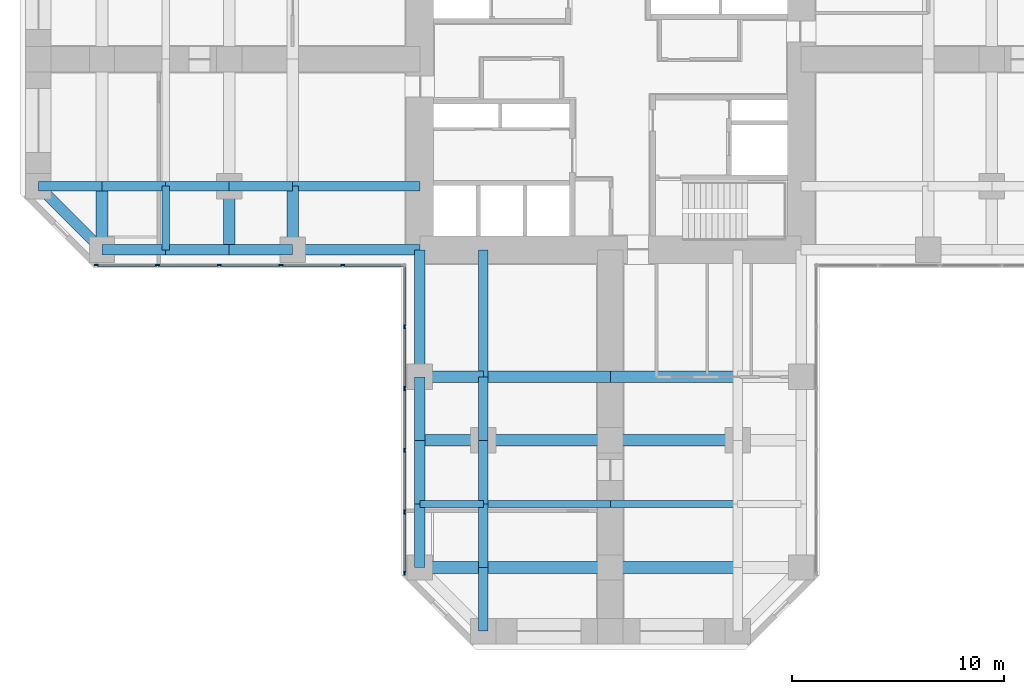
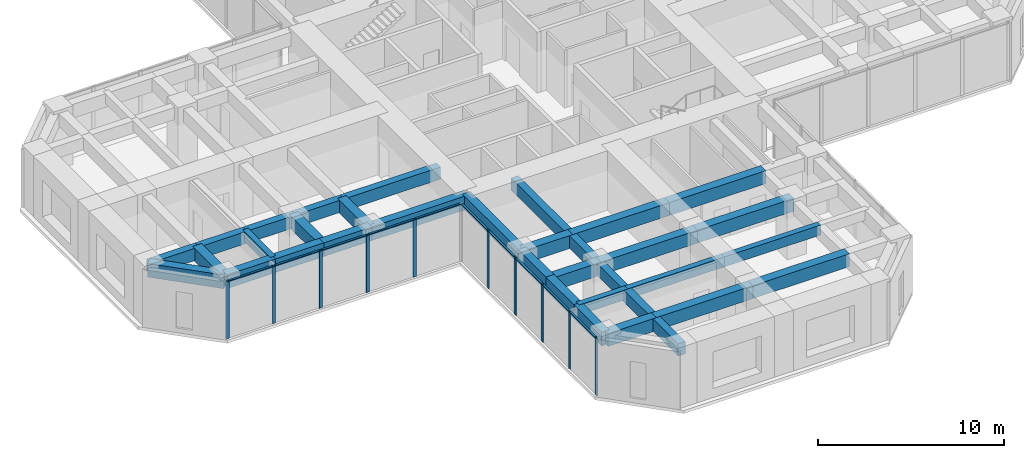
# One storey, part 2 of 12: 35 beams, 20 members, 2 elements without a shape of their own.
"""IFC4 building model written with IfcOpenShell, lengths in metres."""

from ifc_helpers import new_model, si_unit, direction, frame, origin, origin_2d, place, context, subcontext, project, spatial, rectangle, extrude, material, material_profile, profile_set, type_object, element, aggregate, save


model = new_model("IFC4")

# Units and contexts
model_context = context("Model", 3, precision=1e-05, world=origin(), true_north=direction((0.0, 1.0)))
body_context = subcontext(model_context, "Body", "Model", "MODEL_VIEW")
ifc_project = project(units=[si_unit("LENGTHUNIT", "METRE"), si_unit("AREAUNIT", "SQUARE_METRE"), si_unit("VOLUMEUNIT", "CUBIC_METRE"), si_unit("PLANEANGLEUNIT", "RADIAN"), si_unit("MASSUNIT", "GRAM", prefix="KILO")], contexts=[model_context])

# Site, building, storey
site_placement = place(None, origin())
site = spatial("IfcSite", under=ifc_project, at=site_placement, CompositionType="ELEMENT")
building_placement = place(site_placement, origin())
building = spatial("IfcBuilding", under=site, at=building_placement, Name="Torre Cruceta", CompositionType="ELEMENT")
storey_placement = place(building_placement, frame((0.0, 0.0, 63.5)))
storey = spatial("IfcBuildingStorey", under=building, at=storey_placement, Name="L15", CompositionType="ELEMENT", Elevation=63.5)

# Beams
ifc_material_1 = material(Name="Concrete G60 (fck 60 MPa)", Category="concrete")
ifc_material_profile_1 = material_profile(ifc_material_1, rectangle(XDim=0.449951171875, YDim=0.800048828125, at=origin_2d()), Name="RC 450X800")
ifc_profile_set_1 = profile_set([ifc_material_profile_1], Name="Concrete G60 (fck 60 MPa)")
beam_type_1 = type_object("IfcBeamType", Name="COLUMN LINE BEAM RC 450X800", PredefinedType="BEAM", material=ifc_profile_set_1)
beam_1_placement = place(storey_placement, frame((-6.0, -9.0, 3.39990234375), z_axis=(0.0, -1.0, 0.0), x_axis=(1.0, 0.0, 0.0)))
element("IfcBeam", 1, at=beam_1_placement, inside=storey, type_object=beam_type_1, Name="LB1 L15 S col- 1", PredefinedType="BEAM", context=body_context, shape_type="SweptSolid", body=[
    extrude(rectangle(XDim=0.449951171875, YDim=0.800048828125, at=origin_2d()), origin(), (0.0, 0.0, 1.0), 6.0),
])
for number, where, z_axis, x_axis, name in (
    (2, (-6.0, -15.0, 3.39990234375), (0.0, -1.0, 0.0), (1.0, 0.0, 0.0), "LB1 L15 S col- 2"),
    (3, (-6.0, -18.0, 3.39990234375), (0.0, -1.0, 0.0), (1.0, 0.0, 0.0), "LB1 L15 S col- 3"),
    (4, (-6.0, -21.0, 3.39990234375), (0.0, -1.0, 0.0), (1.0, 0.0, 0.0), "LB1 L15 S col- 4"),
    (5, (-6.0, -24.0, 3.39990234375), (0.0, -1.0, 0.0), (1.0, 0.0, 0.0), "LB1 L15 S col- 5"),
):
    element("IfcBeam", number, at=place(storey_placement, frame(where, z_axis=z_axis, x_axis=x_axis)), inside=storey, type_object=beam_type_1, Name=name, PredefinedType="BEAM", context=body_context, shape_type="SweptSolid", body=[
        extrude(rectangle(XDim=0.449951171875, YDim=0.800048828125, at=origin_2d()), origin(), (0.0, 0.0, 1.0), 3.0),
    ])
beam_2_placement = place(storey_placement, frame((-9.0, -6.0, 3.39990234375), z_axis=(-1.0, 0.0, 0.0), x_axis=(0.0, -1.0, 0.0)))
element("IfcBeam", 6, at=beam_2_placement, inside=storey, type_object=beam_type_1, Name="LB1 L15 W col+ 1", PredefinedType="BEAM", context=body_context, shape_type="SweptSolid", body=[
    extrude(rectangle(XDim=0.449951171875, YDim=0.800048828125, at=origin_2d()), origin(), (0.0, 0.0, 1.0), 6.0),
])
for number, where, z_axis, x_axis, name in (
    (7, (-15.0, -6.0, 3.39990234375), (-1.0, 0.0, 0.0), (0.0, -1.0, 0.0), "LB1 L15 W col+ 2"),
    (8, (-18.0, -6.0, 3.39990234375), (-1.0, 0.0, 0.0), (0.0, -1.0, 0.0), "LB1 L15 W col+ 3"),
    (9, (-21.0, -6.0, 3.39990234375), (-1.0, 0.0, 0.0), (0.0, -1.0, 0.0), "LB1 L15 W col+ 4"),
    (10, (-24.0, -6.0, 3.39990234375), (-1.0, 0.0, 0.0), (0.0, -1.0, 0.0), "LB1 L15 W col+ 5"),
):
    element("IfcBeam", number, at=place(storey_placement, frame(where, z_axis=z_axis, x_axis=x_axis)), inside=storey, type_object=beam_type_1, Name=name, PredefinedType="BEAM", context=body_context, shape_type="SweptSolid", body=[
        extrude(rectangle(XDim=0.449951171875, YDim=0.800048828125, at=origin_2d()), origin(), (0.0, 0.0, 1.0), 3.0),
    ])
ifc_material_2 = material(Name="Concrete G60 (fck 60 MPa)", Category="concrete")
ifc_material_profile_2 = material_profile(ifc_material_2, rectangle(XDim=0.550048828125, YDim=0.85009765625, at=origin_2d()), Name="RC 550X850")
ifc_profile_set_2 = profile_set([ifc_material_profile_2], Name="Concrete G60 (fck 60 MPa)")
beam_type_2 = type_object("IfcBeamType", Name="CROSS BEAM RC 550X850", PredefinedType="BEAM", material=ifc_profile_set_2)
beam_3_placement = place(storey_placement, frame((-9.0, -15.0, 3.375), z_axis=(1.0, 0.0, 0.0), x_axis=(0.0, 1.0, 0.0)))
element("IfcBeam", 11, at=beam_3_placement, inside=storey, type_object=beam_type_2, Name="GB4 L15 S cross15 1", PredefinedType="BEAM", context=body_context, shape_type="SweptSolid", body=[
    extrude(rectangle(XDim=0.550048828125, YDim=0.85009765625, at=origin_2d()), origin(), (0.0, 0.0, 1.0), 3.0),
])
for number, where, z_axis, x_axis, name in (
    (12, (-6.0, -15.0, 3.375), (1.0, 0.0, 0.0), (0.0, 1.0, 0.0), "GB4 L15 S cross15 2"),
    (13, (0.0, -15.0, 3.375), (1.0, 0.0, 0.0), (0.0, 1.0, 0.0), "GB4 L15 S cross15 3"),
):
    element("IfcBeam", number, at=place(storey_placement, frame(where, z_axis=z_axis, x_axis=x_axis)), inside=storey, type_object=beam_type_2, Name=name, PredefinedType="BEAM", context=body_context, shape_type="SweptSolid", body=[
        extrude(rectangle(XDim=0.550048828125, YDim=0.85009765625, at=origin_2d()), origin(), (0.0, 0.0, 1.0), 6.0),
    ])
beam_4_placement = place(storey_placement, frame((-9.0, -18.0, 3.375), z_axis=(1.0, 0.0, 0.0), x_axis=(0.0, 1.0, 0.0)))
element("IfcBeam", 14, at=beam_4_placement, inside=storey, type_object=beam_type_2, Name="GB4 L15 S cross18 1", PredefinedType="BEAM", context=body_context, shape_type="SweptSolid", body=[
    extrude(rectangle(XDim=0.550048828125, YDim=0.85009765625, at=origin_2d()), origin(), (0.0, 0.0, 1.0), 3.0),
])
for number, where, z_axis, x_axis, name in (
    (15, (-6.0, -18.0, 3.375), (1.0, 0.0, 0.0), (0.0, 1.0, 0.0), "GB4 L15 S cross18 2"),
    (16, (0.0, -18.0, 3.375), (1.0, 0.0, 0.0), (0.0, 1.0, 0.0), "GB4 L15 S cross18 3"),
):
    element("IfcBeam", number, at=place(storey_placement, frame(where, z_axis=z_axis, x_axis=x_axis)), inside=storey, type_object=beam_type_2, Name=name, PredefinedType="BEAM", context=body_context, shape_type="SweptSolid", body=[
        extrude(rectangle(XDim=0.550048828125, YDim=0.85009765625, at=origin_2d()), origin(), (0.0, 0.0, 1.0), 6.0),
    ])
beam_5_placement = place(storey_placement, frame((-9.0, -24.0, 3.375), z_axis=(1.0, 0.0, 0.0), x_axis=(0.0, 1.0, 0.0)))
element("IfcBeam", 17, at=beam_5_placement, inside=storey, type_object=beam_type_2, Name="GB4 L15 S cross24 1", PredefinedType="BEAM", context=body_context, shape_type="SweptSolid", body=[
    extrude(rectangle(XDim=0.550048828125, YDim=0.85009765625, at=origin_2d()), origin(), (0.0, 0.0, 1.0), 3.0),
])
for number, where, z_axis, x_axis, name in (
    (18, (-6.0, -24.0, 3.375), (1.0, 0.0, 0.0), (0.0, 1.0, 0.0), "GB4 L15 S cross24 2"),
    (19, (0.0, -24.0, 3.375), (1.0, 0.0, 0.0), (0.0, 1.0, 0.0), "GB4 L15 S cross24 3"),
):
    element("IfcBeam", number, at=place(storey_placement, frame(where, z_axis=z_axis, x_axis=x_axis)), inside=storey, type_object=beam_type_2, Name=name, PredefinedType="BEAM", context=body_context, shape_type="SweptSolid", body=[
        extrude(rectangle(XDim=0.550048828125, YDim=0.85009765625, at=origin_2d()), origin(), (0.0, 0.0, 1.0), 6.0),
    ])
for number, where, z_axis, x_axis, name in (
    (20, (-15.0, -6.0, 3.375), (0.0, -1.0, 0.0), (1.0, 0.0, 0.0), "GB4 L15 W cross15 4"),
    (21, (-18.0, -6.0, 3.375), (0.0, -1.0, 0.0), (1.0, 0.0, 0.0), "GB4 L15 W cross18 4"),
    (22, (-24.0, -6.0, 3.375), (0.0, -1.0, 0.0), (1.0, 0.0, 0.0), "GB4 L15 W cross24 4"),
):
    element("IfcBeam", number, at=place(storey_placement, frame(where, z_axis=z_axis, x_axis=x_axis)), inside=storey, type_object=beam_type_2, Name=name, PredefinedType="BEAM", context=body_context, shape_type="SweptSolid", body=[
        extrude(rectangle(XDim=0.550048828125, YDim=0.85009765625, at=origin_2d()), origin(), (0.0, 0.0, 1.0), 3.0),
    ])

# Curtain wall, members
ifc_material_3 = material(Name="Aluminium unitised curtain wall", Category="aluminium")
curtain_wall_type = type_object("IfcCurtainWallType", Name="CURTAIN WALL CW-A OFFICE LOW RISE", PredefinedType="USERDEFINED", material=ifc_material_3)
curtain_wall_1_placement = place(storey_placement, origin())
curtain_wall_1 = element("IfcCurtainWall", 23, at=curtain_wall_1_placement, inside=storey, type_object=curtain_wall_type, Name="CW-A L15 W side 14", ObjectType="UNITISED", PredefinedType="USERDEFINED")
ifc_material_4 = material(Name="Aluminium mullion", Category="aluminium")
ifc_material_profile_3 = material_profile(ifc_material_4, rectangle(XDim=0.06494140625, YDim=0.199951171875, at=origin_2d()), Name="AL 65X200")
ifc_profile_set_3 = profile_set([ifc_material_profile_3], Name="Aluminium mullion")
member_type_1 = type_object("IfcMemberType", Name="CW-A MULLION 65X200", PredefinedType="MULLION", material=ifc_profile_set_3)
member_1_placement = place(storey_placement, frame((-24.265625, -9.719970703125, 0.0), z_axis=(0.0, 0.0, 1.0), x_axis=(0.0, 1.0, 0.0)))
member_1 = element("IfcMember", 24, at=member_1_placement, type_object=member_type_1, Name="CW-A mullion 1", PredefinedType="MULLION", context=body_context, shape_type="SweptSolid", body=[
    extrude(rectangle(XDim=0.06494140625, YDim=0.199951171875, at=origin_2d()), origin(), (0.0, 0.0, 1.0), 3.800048828125),
])
member_2_placement = place(storey_placement, frame((-21.382568359375, -9.719970703125, 0.0), z_axis=(0.0, 0.0, 1.0), x_axis=(0.0, 1.0, 0.0)))
member_2 = element("IfcMember", 25, at=member_2_placement, type_object=member_type_1, Name="CW-A mullion 2", PredefinedType="MULLION", context=body_context, shape_type="SweptSolid", body=[
    extrude(rectangle(XDim=0.06494140625, YDim=0.199951171875, at=origin_2d()), origin(), (0.0, 0.0, 1.0), 3.800048828125),
])
member_3_placement = place(storey_placement, frame((-18.467041015625, -9.719970703125, 0.0), z_axis=(0.0, 0.0, 1.0), x_axis=(0.0, 1.0, 0.0)))
member_3 = element("IfcMember", 26, at=member_3_placement, type_object=member_type_1, Name="CW-A mullion 3", PredefinedType="MULLION", context=body_context, shape_type="SweptSolid", body=[
    extrude(rectangle(XDim=0.06494140625, YDim=0.199951171875, at=origin_2d()), origin(), (0.0, 0.0, 1.0), 3.800048828125),
])
member_4_placement = place(storey_placement, frame((-15.55126953125, -9.719970703125, 0.0), z_axis=(0.0, 0.0, 1.0), x_axis=(0.0, 1.0, 0.0)))
member_4 = element("IfcMember", 27, at=member_4_placement, type_object=member_type_1, Name="CW-A mullion 4", PredefinedType="MULLION", context=body_context, shape_type="SweptSolid", body=[
    extrude(rectangle(XDim=0.06494140625, YDim=0.199951171875, at=origin_2d()), origin(), (0.0, 0.0, 1.0), 3.800048828125),
])
member_5_placement = place(storey_placement, frame((-12.6357421875, -9.719970703125, 0.0), z_axis=(0.0, 0.0, 1.0), x_axis=(0.0, 1.0, 0.0)))
member_5 = element("IfcMember", 28, at=member_5_placement, type_object=member_type_1, Name="CW-A mullion 5", PredefinedType="MULLION", context=body_context, shape_type="SweptSolid", body=[
    extrude(rectangle(XDim=0.06494140625, YDim=0.199951171875, at=origin_2d()), origin(), (0.0, 0.0, 1.0), 3.800048828125),
])

curtain_wall_2_placement = place(storey_placement, origin())
curtain_wall_2 = element("IfcCurtainWall", 29, at=curtain_wall_2_placement, inside=storey, type_object=curtain_wall_type, Name="CW-A L15 S side 15", ObjectType="UNITISED", PredefinedType="USERDEFINED")
member_6_placement = place(storey_placement, frame((-9.719970703125, -12.6357421875, 0.0), z_axis=(0.0, 0.0, 1.0), x_axis=(1.0, 0.0, 0.0)))
member_6 = element("IfcMember", 30, at=member_6_placement, type_object=member_type_1, Name="CW-A mullion 2", PredefinedType="MULLION", context=body_context, shape_type="SweptSolid", body=[
    extrude(rectangle(XDim=0.06494140625, YDim=0.199951171875, at=origin_2d()), origin(), (0.0, 0.0, 1.0), 3.800048828125),
])
member_7_placement = place(storey_placement, frame((-9.719970703125, -15.55126953125, 0.0), z_axis=(0.0, 0.0, 1.0), x_axis=(1.0, 0.0, 0.0)))
member_7 = element("IfcMember", 31, at=member_7_placement, type_object=member_type_1, Name="CW-A mullion 3", PredefinedType="MULLION", context=body_context, shape_type="SweptSolid", body=[
    extrude(rectangle(XDim=0.06494140625, YDim=0.199951171875, at=origin_2d()), origin(), (0.0, 0.0, 1.0), 3.800048828125),
])
member_8_placement = place(storey_placement, frame((-9.719970703125, -18.467041015625, 0.0), z_axis=(0.0, 0.0, 1.0), x_axis=(1.0, 0.0, 0.0)))
member_8 = element("IfcMember", 32, at=member_8_placement, type_object=member_type_1, Name="CW-A mullion 4", PredefinedType="MULLION", context=body_context, shape_type="SweptSolid", body=[
    extrude(rectangle(XDim=0.06494140625, YDim=0.199951171875, at=origin_2d()), origin(), (0.0, 0.0, 1.0), 3.800048828125),
])
member_9_placement = place(storey_placement, frame((-9.719970703125, -21.382568359375, 0.0), z_axis=(0.0, 0.0, 1.0), x_axis=(1.0, 0.0, 0.0)))
member_9 = element("IfcMember", 33, at=member_9_placement, type_object=member_type_1, Name="CW-A mullion 5", PredefinedType="MULLION", context=body_context, shape_type="SweptSolid", body=[
    extrude(rectangle(XDim=0.06494140625, YDim=0.199951171875, at=origin_2d()), origin(), (0.0, 0.0, 1.0), 3.800048828125),
])
member_10_placement = place(storey_placement, frame((-9.719970703125, -24.265625, 0.0), z_axis=(0.0, 0.0, 1.0), x_axis=(1.0, 0.0, 0.0)))
member_10 = element("IfcMember", 34, at=member_10_placement, type_object=member_type_1, Name="CW-A mullion 6", PredefinedType="MULLION", context=body_context, shape_type="SweptSolid", body=[
    extrude(rectangle(XDim=0.06494140625, YDim=0.199951171875, at=origin_2d()), origin(), (0.0, 0.0, 1.0), 3.800048828125),
])

# Member
ifc_material_5 = material(Name="Aluminium transom", Category="aluminium")
ifc_material_profile_4 = material_profile(ifc_material_5, rectangle(XDim=0.1201171875, YDim=0.06494140625, at=origin_2d()), Name="AL 120X65")
ifc_profile_set_4 = profile_set([ifc_material_profile_4], Name="Aluminium transom")
member_type_2 = type_object("IfcMemberType", Name="CW-A TRANSOM 65X120", PredefinedType="USERDEFINED", material=ifc_profile_set_4)
member_11_placement = place(storey_placement, frame((-24.233154296875, -9.719970703125, 3.767578125), z_axis=(1.0, 0.0, 0.0), x_axis=(0.0, 1.0, 0.0)))
member_11 = element("IfcMember", 35, at=member_11_placement, type_object=member_type_2, Name="CW-A transom 1", ObjectType="TRANSOM", PredefinedType="USERDEFINED", context=body_context, shape_type="SweptSolid", body=[
    extrude(rectangle(XDim=0.1201171875, YDim=0.06494140625, at=origin_2d()), origin(), (0.0, 0.0, 1.0), 2.818115234375),
])

member_12_placement = place(storey_placement, frame((-21.35009765625, -9.719970703125, 3.767578125), z_axis=(1.0, 0.0, 0.0), x_axis=(0.0, 1.0, 0.0)))
member_12 = element("IfcMember", 36, at=member_12_placement, type_object=member_type_2, Name="CW-A transom 2", ObjectType="TRANSOM", PredefinedType="USERDEFINED", context=body_context, shape_type="SweptSolid", body=[
    extrude(rectangle(XDim=0.1201171875, YDim=0.06494140625, at=origin_2d()), origin(), (0.0, 0.0, 1.0), 2.8505859375),
])

member_13_placement = place(storey_placement, frame((-18.434326171875, -9.719970703125, 3.767578125), z_axis=(1.0, 0.0, 0.0), x_axis=(0.0, 1.0, 0.0)))
member_13 = element("IfcMember", 37, at=member_13_placement, type_object=member_type_2, Name="CW-A transom 3", ObjectType="TRANSOM", PredefinedType="USERDEFINED", context=body_context, shape_type="SweptSolid", body=[
    extrude(rectangle(XDim=0.1201171875, YDim=0.06494140625, at=origin_2d()), origin(), (0.0, 0.0, 1.0), 2.8505859375),
])

member_14_placement = place(storey_placement, frame((-15.518798828125, -9.719970703125, 3.767578125), z_axis=(1.0, 0.0, 0.0), x_axis=(0.0, 1.0, 0.0)))
member_14 = element("IfcMember", 38, at=member_14_placement, type_object=member_type_2, Name="CW-A transom 4", ObjectType="TRANSOM", PredefinedType="USERDEFINED", context=body_context, shape_type="SweptSolid", body=[
    extrude(rectangle(XDim=0.1201171875, YDim=0.06494140625, at=origin_2d()), origin(), (0.0, 0.0, 1.0), 2.8505859375),
])

member_15_placement = place(storey_placement, frame((-12.60302734375, -9.719970703125, 3.767578125), z_axis=(1.0, 0.0, 0.0), x_axis=(0.0, 1.0, 0.0)))
member_15 = element("IfcMember", 39, at=member_15_placement, type_object=member_type_2, Name="CW-A transom 5", ObjectType="TRANSOM", PredefinedType="USERDEFINED", context=body_context, shape_type="SweptSolid", body=[
    extrude(rectangle(XDim=0.1201171875, YDim=0.06494140625, at=origin_2d()), origin(), (0.0, 0.0, 1.0), 2.818115234375),
])

aggregate(curtain_wall_1, [member_1, member_2, member_3, member_4, member_5, member_11, member_12, member_13, member_14, member_15])

member_16_placement = place(storey_placement, frame((-9.719970703125, -9.784912109375, 3.767578125), z_axis=(0.0, -1.0, 0.0), x_axis=(1.0, 0.0, 0.0)))
member_16 = element("IfcMember", 40, at=member_16_placement, type_object=member_type_2, Name="CW-A transom 1", ObjectType="TRANSOM", PredefinedType="USERDEFINED", context=body_context, shape_type="SweptSolid", body=[
    extrude(rectangle(XDim=0.1201171875, YDim=0.06494140625, at=origin_2d()), origin(), (0.0, 0.0, 1.0), 2.818115234375),
])

member_17_placement = place(storey_placement, frame((-9.719970703125, -12.668212890625, 3.767578125), z_axis=(0.0, -1.0, 0.0), x_axis=(1.0, 0.0, 0.0)))
member_17 = element("IfcMember", 41, at=member_17_placement, type_object=member_type_2, Name="CW-A transom 2", ObjectType="TRANSOM", PredefinedType="USERDEFINED", context=body_context, shape_type="SweptSolid", body=[
    extrude(rectangle(XDim=0.1201171875, YDim=0.06494140625, at=origin_2d()), origin(), (0.0, 0.0, 1.0), 2.8505859375),
])

member_18_placement = place(storey_placement, frame((-9.719970703125, -15.583740234375, 3.767578125), z_axis=(0.0, -1.0, 0.0), x_axis=(1.0, 0.0, 0.0)))
member_18 = element("IfcMember", 42, at=member_18_placement, type_object=member_type_2, Name="CW-A transom 3", ObjectType="TRANSOM", PredefinedType="USERDEFINED", context=body_context, shape_type="SweptSolid", body=[
    extrude(rectangle(XDim=0.1201171875, YDim=0.06494140625, at=origin_2d()), origin(), (0.0, 0.0, 1.0), 2.8505859375),
])

member_19_placement = place(storey_placement, frame((-9.719970703125, -18.49951171875, 3.767578125), z_axis=(0.0, -1.0, 0.0), x_axis=(1.0, 0.0, 0.0)))
member_19 = element("IfcMember", 43, at=member_19_placement, type_object=member_type_2, Name="CW-A transom 4", ObjectType="TRANSOM", PredefinedType="USERDEFINED", context=body_context, shape_type="SweptSolid", body=[
    extrude(rectangle(XDim=0.1201171875, YDim=0.06494140625, at=origin_2d()), origin(), (0.0, 0.0, 1.0), 2.8505859375),
])

member_20_placement = place(storey_placement, frame((-9.719970703125, -21.4150390625, 3.767578125), z_axis=(0.0, -1.0, 0.0), x_axis=(1.0, 0.0, 0.0)))
member_20 = element("IfcMember", 44, at=member_20_placement, type_object=member_type_2, Name="CW-A transom 5", ObjectType="TRANSOM", PredefinedType="USERDEFINED", context=body_context, shape_type="SweptSolid", body=[
    extrude(rectangle(XDim=0.1201171875, YDim=0.06494140625, at=origin_2d()), origin(), (0.0, 0.0, 1.0), 2.818115234375),
])

aggregate(curtain_wall_2, [member_6, member_7, member_8, member_9, member_10, member_16, member_17, member_18, member_19, member_20])

# Beams
ifc_material_6 = material(Name="Concrete G60 (fck 60 MPa)", Category="concrete")
ifc_material_profile_5 = material_profile(ifc_material_6, rectangle(XDim=0.35009765625, YDim=0.64990234375, at=origin_2d()), Name="RC 350X650")
ifc_profile_set_5 = profile_set([ifc_material_profile_5], Name="Concrete G60 (fck 60 MPa)")
beam_type_3 = type_object("IfcBeamType", Name="SECONDARY BEAM RC 350X650", PredefinedType="JOIST", material=ifc_profile_set_5)
beam_6_placement = place(storey_placement, frame((-9.0, -21.0, 3.47509765625), z_axis=(1.0, 0.0, 0.0), x_axis=(0.0, 1.0, 0.0)))
element("IfcBeam", 45, at=beam_6_placement, inside=storey, type_object=beam_type_3, Name="JB3 L15 S sec21 1", PredefinedType="JOIST", context=body_context, shape_type="SweptSolid", body=[
    extrude(rectangle(XDim=0.35009765625, YDim=0.64990234375, at=origin_2d()), origin(), (0.0, 0.0, 1.0), 3.0),
])
for number, where, z_axis, x_axis, name in (
    (46, (-6.0, -21.0, 3.47509765625), (1.0, 0.0, 0.0), (0.0, 1.0, 0.0), "JB3 L15 S sec21 2"),
    (47, (0.0, -21.0, 3.47509765625), (1.0, 0.0, 0.0), (0.0, 1.0, 0.0), "JB3 L15 S sec21 3"),
):
    element("IfcBeam", number, at=place(storey_placement, frame(where, z_axis=z_axis, x_axis=x_axis)), inside=storey, type_object=beam_type_3, Name=name, PredefinedType="JOIST", context=body_context, shape_type="SweptSolid", body=[
        extrude(rectangle(XDim=0.35009765625, YDim=0.64990234375, at=origin_2d()), origin(), (0.0, 0.0, 1.0), 6.0),
    ])
beam_7_placement = place(storey_placement, frame((-21.0, -6.0, 3.47509765625), z_axis=(0.0, -1.0, 0.0), x_axis=(1.0, 0.0, 0.0)))
element("IfcBeam", 48, at=beam_7_placement, inside=storey, type_object=beam_type_3, Name="JB3 L15 W sec21 4", PredefinedType="JOIST", context=body_context, shape_type="SweptSolid", body=[
    extrude(rectangle(XDim=0.35009765625, YDim=0.64990234375, at=origin_2d()), origin(), (0.0, 0.0, 1.0), 3.0),
])
ifc_material_7 = material(Name="Concrete G60 (fck 60 MPa)", Category="concrete")
ifc_material_profile_6 = material_profile(ifc_material_7, rectangle(XDim=0.5, YDim=0.89990234375, at=origin_2d()), Name="RC 500X900")
ifc_profile_set_6 = profile_set([ifc_material_profile_6], Name="Concrete G60 (fck 60 MPa)")
beam_type_4 = type_object("IfcBeamType", Name="SPANDREL BEAM RC 500X900", PredefinedType="SPANDREL", material=ifc_profile_set_6)
beam_8_placement = place(storey_placement, frame((-9.0, -9.0, 3.35009765625), z_axis=(0.0, -1.0, 0.0), x_axis=(1.0, 0.0, 0.0)))
element("IfcBeam", 49, at=beam_8_placement, inside=storey, type_object=beam_type_4, Name="SB4 L15 S side- 1", PredefinedType="SPANDREL", context=body_context, shape_type="SweptSolid", body=[
    extrude(rectangle(XDim=0.5, YDim=0.89990234375, at=origin_2d()), origin(), (0.0, 0.0, 1.0), 6.0),
])
for number, where, z_axis, x_axis, name in (
    (50, (-9.0, -15.0, 3.35009765625), (0.0, -1.0, 0.0), (1.0, 0.0, 0.0), "SB4 L15 S side- 2"),
    (51, (-9.0, -18.0, 3.35009765625), (0.0, -1.0, 0.0), (1.0, 0.0, 0.0), "SB4 L15 S side- 3"),
    (52, (-9.0, -21.0, 3.35009765625), (0.0, -1.0, 0.0), (1.0, 0.0, 0.0), "SB4 L15 S side- 4"),
):
    element("IfcBeam", number, at=place(storey_placement, frame(where, z_axis=z_axis, x_axis=x_axis)), inside=storey, type_object=beam_type_4, Name=name, PredefinedType="SPANDREL", context=body_context, shape_type="SweptSolid", body=[
        extrude(rectangle(XDim=0.5, YDim=0.89990234375, at=origin_2d()), origin(), (0.0, 0.0, 1.0), 3.0),
    ])
beam_9_placement = place(storey_placement, frame((-9.0, -9.0, 3.35009765625), z_axis=(-1.0, 0.0, 0.0), x_axis=(0.0, -1.0, 0.0)))
element("IfcBeam", 53, at=beam_9_placement, inside=storey, type_object=beam_type_4, Name="SB4 L15 W side+ 1", PredefinedType="SPANDREL", context=body_context, shape_type="SweptSolid", body=[
    extrude(rectangle(XDim=0.5, YDim=0.89990234375, at=origin_2d()), origin(), (0.0, 0.0, 1.0), 6.0),
])
for number, where, z_axis, x_axis, name in (
    (54, (-15.0, -9.0, 3.35009765625), (-1.0, 0.0, 0.0), (0.0, -1.0, 0.0), "SB4 L15 W side+ 2"),
    (55, (-18.0, -9.0, 3.35009765625), (-1.0, 0.0, 0.0), (0.0, -1.0, 0.0), "SB4 L15 W side+ 3"),
    (56, (-21.0, -9.0, 3.35009765625), (-1.0, 0.0, 0.0), (0.0, -1.0, 0.0), "SB4 L15 W side+ 4"),
):
    element("IfcBeam", number, at=place(storey_placement, frame(where, z_axis=z_axis, x_axis=x_axis)), inside=storey, type_object=beam_type_4, Name=name, PredefinedType="SPANDREL", context=body_context, shape_type="SweptSolid", body=[
        extrude(rectangle(XDim=0.5, YDim=0.89990234375, at=origin_2d()), origin(), (0.0, 0.0, 1.0), 3.0),
    ])
beam_10_placement = place(storey_placement, frame((-24.0, -9.0, 3.35009765625), z_axis=(-0.707106781187, 0.707106781187, 0.0), x_axis=(-0.707106781187, -0.707106781187, 0.0)))
element("IfcBeam", 57, at=beam_10_placement, inside=storey, type_object=beam_type_4, Name="SB4 L15 W side+ 5", PredefinedType="SPANDREL", context=body_context, shape_type="SweptSolid", body=[
    extrude(rectangle(XDim=0.5, YDim=0.89990234375, at=origin_2d()), origin(), (0.0, 0.0, 1.0), 4.24267578125),
])

save(model, "model.ifc")
